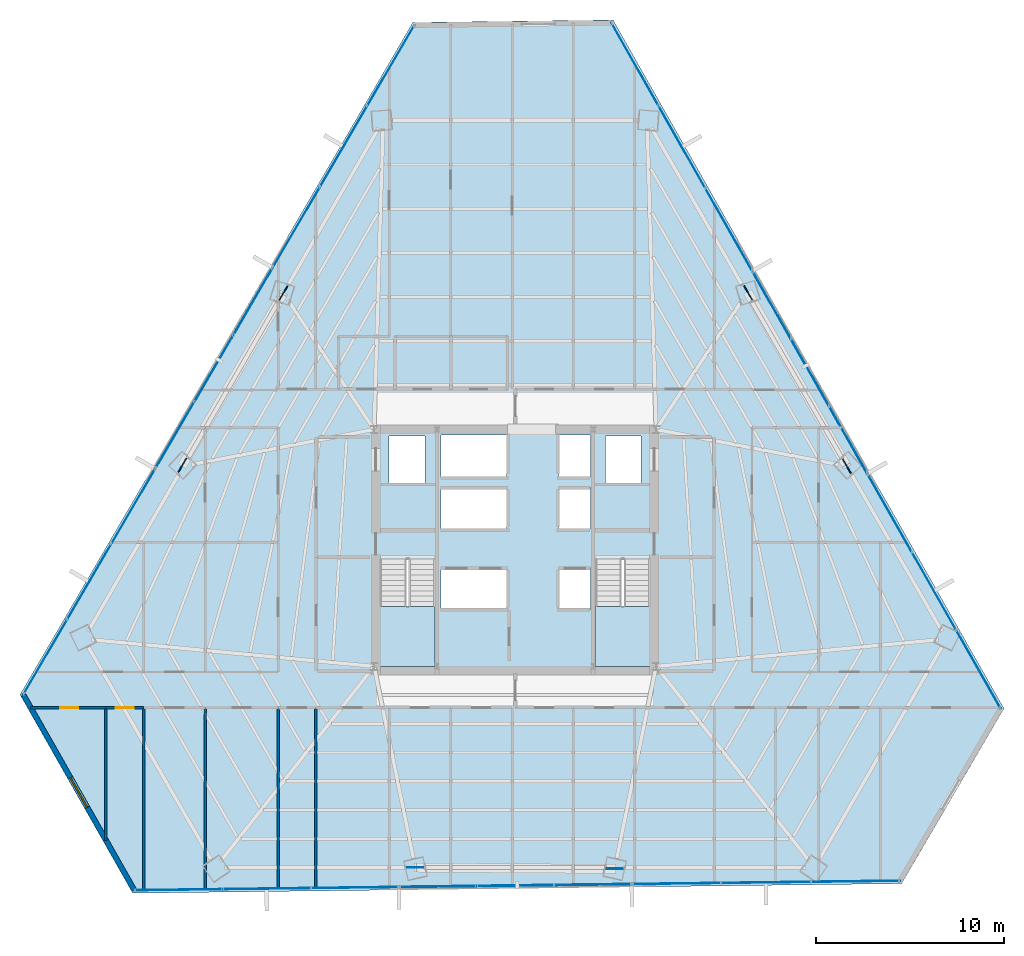
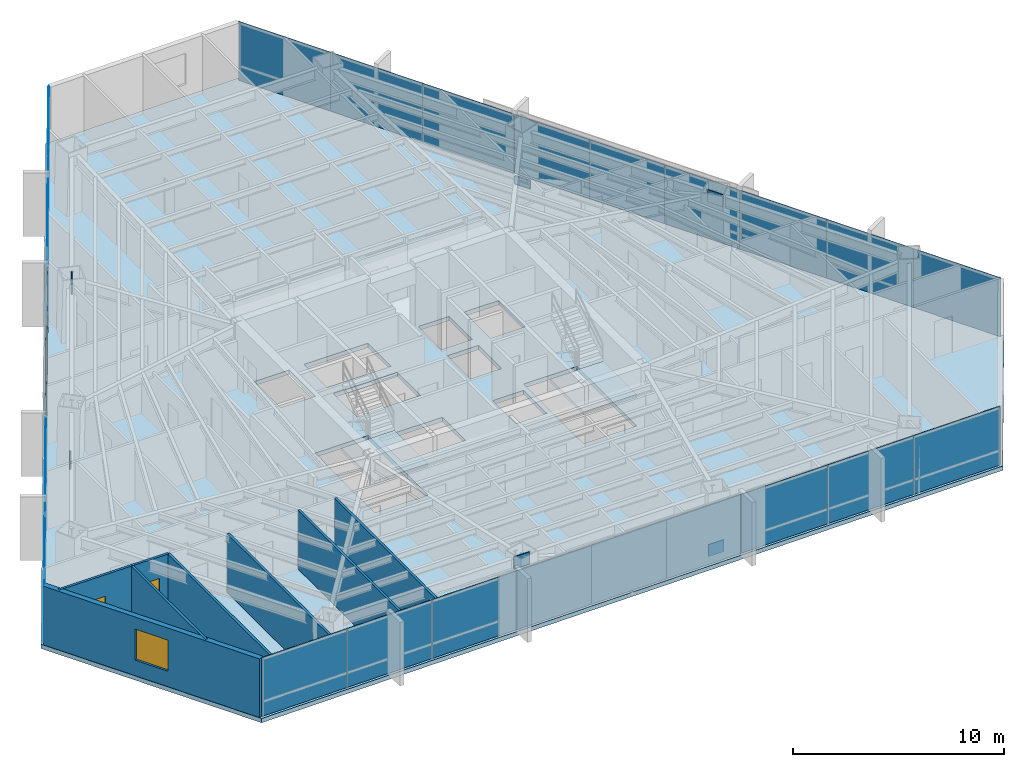
# One storey, part 30 of 37: 33 plates, 8 walls, 3 slabs, 2 doors, 1 window, 3 openings, 11 elements without a shape of their own.
"""IFC4 building model written with IfcOpenShell, lengths in metres."""

from ifc_helpers import new_model, si_unit, direction, frame, frame_2d, origin, origin_2d, place, context, subcontext, project, spatial, polyline, rectangle, outline, extrude, source, transform, mapped, material, layer, layer_set, type_object, type_shapes, element, fill, aggregate, save


model = new_model("IFC4")

# Units and contexts
model_context = context("Model", 3, precision=1e-05, world=origin(), true_north=direction((0.0, 1.0)))
body_context = subcontext(model_context, "Body", "Model", "MODEL_VIEW")
ifc_project = project(units=[si_unit("LENGTHUNIT", "METRE"), si_unit("AREAUNIT", "SQUARE_METRE"), si_unit("VOLUMEUNIT", "CUBIC_METRE"), si_unit("PLANEANGLEUNIT", "RADIAN"), si_unit("MASSUNIT", "GRAM", prefix="KILO")], contexts=[model_context])

# Site, building, storey
site_placement = place(None, origin())
site = spatial("IfcSite", under=ifc_project, at=site_placement, CompositionType="ELEMENT")
building_placement = place(site_placement, origin())
building = spatial("IfcBuilding", under=site, at=building_placement, Name="Caelisora Broadcast Tower", CompositionType="ELEMENT")
storey_placement = place(building_placement, frame((0.0, 0.0, 120.0)))
storey = spatial("IfcBuildingStorey", under=building, at=storey_placement, Name="L31", CompositionType="ELEMENT", Elevation=120.0)

# Slab
ifc_material_1 = material(Name="Concrete 40 MPa (AS 3600 N40)", Category="concrete")
ifc_layer_1 = layer(ifc_material_1, 0.25, Name="Concrete 40 MPa (AS 3600 N40)")
ifc_layer_set_1 = layer_set([ifc_layer_1], Name="Concrete 40 MPa (AS 3600 N40)")
slab_type_1 = type_object("IfcSlabType", Name="SL04", PredefinedType="FLOOR", material=ifc_layer_set_1)
slab_1_placement = place(storey_placement, frame((0.0, 0.0, -0.25)))
element("IfcSlab", 1, at=slab_1_placement, inside=storey, type_object=slab_type_1, Name="L31 suspended floor SL04", PredefinedType="FLOOR", context=body_context, shape_type="SweptSolid", body=[
    extrude(outline(polyline([(43.212890625, 51.777099609375), (32.55810546875, 51.64501953125), (11.6689453125, 15.89404296875), (17.662109375, 5.3369140625), (58.56005859375, 5.845947265625), (64.001953125, 15.159912109375), (43.212890625, 51.777099609375)]), holes=[polyline([(30.820068359375, 17.39990234375), (33.739990234375, 17.39990234375), (33.739990234375, 23.080078125), (30.820068359375, 23.080078125), (30.820068359375, 17.39990234375)]), polyline([(42.260009765625, 17.39990234375), (45.179931640625, 17.39990234375), (45.179931640625, 23.080078125), (42.260009765625, 23.080078125), (42.260009765625, 17.39990234375)]), polyline([(42.800048828125, 27.14990234375), (44.699951171875, 27.14990234375), (44.699951171875, 29.64990234375), (42.800048828125, 29.64990234375), (42.800048828125, 27.14990234375)]), polyline([(40.300048828125, 20.429931640625), (42.0, 20.429931640625), (42.0, 22.6298828125), (40.300048828125, 22.6298828125), (40.300048828125, 20.429931640625)]), polyline([(40.300048828125, 24.719970703125), (42.0, 24.719970703125), (42.0, 26.919921875), (40.300048828125, 26.919921875), (40.300048828125, 24.719970703125)]), polyline([(40.300048828125, 27.5), (42.0, 27.5), (42.0, 29.699951171875), (40.300048828125, 29.699951171875), (40.300048828125, 27.5)]), polyline([(34.050048828125, 20.429931640625), (37.550048828125, 20.429931640625), (37.550048828125, 22.6298828125), (34.050048828125, 22.6298828125), (34.050048828125, 20.429931640625)]), polyline([(34.050048828125, 24.719970703125), (37.550048828125, 24.719970703125), (37.550048828125, 26.919921875), (34.050048828125, 26.919921875), (34.050048828125, 24.719970703125)]), polyline([(34.050048828125, 27.5), (37.550048828125, 27.5), (37.550048828125, 29.699951171875), (34.050048828125, 29.699951171875), (34.050048828125, 27.5)]), polyline([(31.300048828125, 27.14990234375), (33.199951171875, 27.14990234375), (33.199951171875, 29.64990234375), (31.300048828125, 29.64990234375), (31.300048828125, 27.14990234375)])]), origin(), (0.0, 0.0, 1.0), 0.25),
])

# Stair, slab
stair_type_1 = type_object("IfcStairType", Name="ST-1", PredefinedType="HALF_TURN_STAIR", material=ifc_material_1)
stair_1_placement = place(storey_placement, origin())
stair_1 = element("IfcStair", 2, at=stair_1_placement, inside=storey, type_object=stair_type_1, Name="L31 West Fire-Isolated Tower Stair", PredefinedType="HALF_TURN_STAIR")
ifc_layer_2 = layer(ifc_material_1, 0.199951171875, Name="Concrete 40 MPa (AS 3600 N40)")
ifc_layer_set_2 = layer_set([ifc_layer_2], Name="Concrete 40 MPa (AS 3600 N40)")
slab_type_2 = type_object("IfcSlabType", Name="STL-1", PredefinedType="LANDING", material=ifc_layer_set_2)
slab_2_placement = place(storey_placement, frame((0.0, 0.0, 1.625)))
slab_2 = element("IfcSlab", 3, at=slab_2_placement, type_object=slab_type_2, Name="ST-1 landing 1", PredefinedType="LANDING", context=body_context, shape_type="SweptSolid", body=[
    extrude(outline(polyline([(30.820068359375, 20.580078125), (30.820068359375, 17.39990234375), (33.739990234375, 17.39990234375), (33.739990234375, 20.580078125), (30.820068359375, 20.580078125)])), origin(), (0.0, 0.0, 1.0), 0.199951171875),
])
aggregate(stair_1, [slab_2])

stair_type_2 = type_object("IfcStairType", Name="ST-2", PredefinedType="HALF_TURN_STAIR", material=ifc_material_1)
stair_2_placement = place(storey_placement, origin())
stair_2 = element("IfcStair", 4, at=stair_2_placement, inside=storey, type_object=stair_type_2, Name="L31 East Fire-Isolated Tower Stair", PredefinedType="HALF_TURN_STAIR")
slab_3_placement = place(storey_placement, frame((0.0, 0.0, 1.625)))
slab_3 = element("IfcSlab", 5, at=slab_3_placement, type_object=slab_type_2, Name="ST-2 landing 1", PredefinedType="LANDING", context=body_context, shape_type="SweptSolid", body=[
    extrude(outline(polyline([(42.260009765625, 20.580078125), (42.260009765625, 17.39990234375), (45.179931640625, 17.39990234375), (45.179931640625, 20.580078125), (42.260009765625, 20.580078125)])), origin(), (0.0, 0.0, 1.0), 0.199951171875),
])
aggregate(stair_2, [slab_3])

# Plates
ifc_material_2 = material(Name="Steel Grade 350 L15 (AS/NZS 3678)", Category="steel")
ifc_layer_3 = layer(ifc_material_2, 0.050048828125, Name="Steel Grade 350 L15 (AS/NZS 3678)")
ifc_layer_set_3 = layer_set([ifc_layer_3], Name="Steel Grade 350 L15 (AS/NZS 3678)")
plate_type_1 = type_object("IfcPlateType", Name="GP03", PredefinedType="USERDEFINED", material=ifc_layer_set_3)
shared_shape_1 = source(origin(), body_context, "Body", "SweptSolid", [
    extrude(rectangle(XDim=0.85009765625, YDim=0.050048828125, at=origin_2d()), origin(), (0.0, 0.0, 1.0), 0.699951171875),
])
type_shapes(plate_type_1, [shared_shape_1])
for number, where, z_axis, x_axis, name in (
    (6, (25.67431640625, 37.24609375, 2.72998046875), (0.0, 0.0, 1.0), (-0.5, -0.866025403784, 0.0), "L31 gusset plate GP03 (ND-L31-C02T)"),
    (7, (20.311279296875, 28.101806640625, -0.22998046875), (0.0, 0.0, 1.0), (-0.5, -0.866025403784, 0.0), "L31 gusset plate GP03 (ND-L31-C03B)"),
    (8, (32.69140625, 6.702392578125, 2.72998046875), (0.0, 0.0, 1.0), (1.0, 0.0, 0.0), "L31 gusset plate GP03 (ND-L31-C06T)"),
    (9, (43.292236328125, 6.630126953125, -0.22998046875), (0.0, 0.0, 1.0), (1.0, 0.0, 0.0), "L31 gusset plate GP03 (ND-L31-C07B)"),
    (10, (55.634521484375, 28.05126953125, 2.72998046875), (0.0, 0.0, 1.0), (-0.5, 0.866025403784, 0.0), "L31 gusset plate GP03 (ND-L31-C10T)"),
    (11, (50.396484375, 37.26806640625, -0.22998046875), (0.0, 0.0, 1.0), (-0.5, 0.866025403784, 0.0), "L31 gusset plate GP03 (ND-L31-C11B)"),
):
    element("IfcPlate", number, at=place(storey_placement, frame(where, z_axis=z_axis, x_axis=x_axis)), inside=storey, type_object=plate_type_1, Name=name, ObjectType="GUSSET PLATE", PredefinedType="USERDEFINED", context=body_context, shape_type="MappedRepresentation", body=[
        mapped(shared_shape_1, transform((0.0, 0.0, 0.0), scale=1.0)),
    ])

# Curtain wall, plates
ifc_material_3 = material(Name="Unitised Aluminium and Low-E Glass Curtain Wall", Category="glass")
curtain_wall_type_1 = type_object("IfcCurtainWallType", Name="CW-Z2", PredefinedType="NOTDEFINED", material=ifc_material_3)
curtain_wall_1_placement = place(storey_placement, origin())
curtain_wall_1 = element("IfcCurtainWall", 12, at=curtain_wall_1_placement, inside=storey, type_object=curtain_wall_type_1, Name="L31 curtain wall CW-Z2", PredefinedType="NOTDEFINED")
ifc_material_4 = material(Name="Double Glazed Low-E Argon IGU", Category="glass")
ifc_layer_4 = layer(ifc_material_4, 0.033935546875, Name="Double Glazed Low-E Argon IGU")
ifc_layer_set_4 = layer_set([ifc_layer_4], Name="Double Glazed Low-E Argon IGU")
plate_type_2 = type_object("IfcPlateType", Name="CWP-03", PredefinedType="CURTAIN_PANEL", material=ifc_layer_set_4)
shared_shape_2 = source(origin(), body_context, "Body", "SweptSolid", [
    extrude(rectangle(XDim=5.056884765625, YDim=0.033935546875, at=origin_2d()), origin(), (0.0, 0.0, 1.0), 3.39990234375),
])
plate_1_placement = place(storey_placement, frame((44.374267578125, 49.42724609375, 0.0), z_axis=(0.0, 0.0, 1.0), x_axis=(0.493790103568, -0.86958112538, 0.0)))
plate_1 = element("IfcPlate", 13, at=plate_1_placement, type_object=plate_type_2, Name="L31-CW-B01 glazed panel #1", PredefinedType="CURTAIN_PANEL", context=body_context, shape_type="MappedRepresentation", body=[
    mapped(shared_shape_2, transform((0.0, 0.0, 0.0), scale=1.0)),
])
plate_2_placement = place(storey_placement, frame((46.87109375, 45.02978515625, 0.0), z_axis=(0.0, 0.0, 1.0), x_axis=(0.493790103568, -0.86958112538, 0.0)))
plate_2 = element("IfcPlate", 14, at=plate_2_placement, type_object=plate_type_2, Name="L31-CW-B01 glazed panel #2", PredefinedType="CURTAIN_PANEL", context=body_context, shape_type="MappedRepresentation", body=[
    mapped(shared_shape_2, transform((0.0, 0.0, 0.0), scale=1.0)),
])
plate_3_placement = place(storey_placement, frame((49.36767578125, 40.632080078125, 0.0), z_axis=(0.0, 0.0, 1.0), x_axis=(0.493790103568, -0.86958112538, 0.0)))
plate_3 = element("IfcPlate", 15, at=plate_3_placement, type_object=plate_type_2, Name="L31-CW-B01 glazed panel #3", PredefinedType="CURTAIN_PANEL", context=body_context, shape_type="MappedRepresentation", body=[
    mapped(shared_shape_2, transform((0.0, 0.0, 0.0), scale=1.0)),
])
aggregate(curtain_wall_1, [plate_1, plate_2, plate_3])

ifc_material_5 = material(Name="Unitised Aluminium Insulated Shadow-Box Spandrel Curtain Wall", Category="aluminium")
curtain_wall_type_2 = type_object("IfcCurtainWallType", Name="CW-SP1", PredefinedType="NOTDEFINED", material=ifc_material_5)
curtain_wall_2_placement = place(storey_placement, origin())
curtain_wall_2 = element("IfcCurtainWall", 16, at=curtain_wall_2_placement, inside=storey, type_object=curtain_wall_type_2, Name="L31 curtain wall CW-SP1", PredefinedType="NOTDEFINED")
ifc_material_6 = material(Name="Insulated Terracotta Shadow-Box Spandrel Panel", Category="aluminium")
ifc_layer_5 = layer(ifc_material_6, 0.0439453125, Name="Insulated Terracotta Shadow-Box Spandrel Panel")
ifc_layer_set_5 = layer_set([ifc_layer_5], Name="Insulated Terracotta Shadow-Box Spandrel Panel")
plate_type_3 = type_object("IfcPlateType", Name="CWP-10", PredefinedType="CURTAIN_PANEL", material=ifc_layer_set_5)
shared_shape_3 = source(origin(), body_context, "Body", "SweptSolid", [
    extrude(rectangle(XDim=4.124755859375, YDim=0.0439453125, at=origin_2d()), origin(), (0.0, 0.0, 1.0), 3.39990234375),
])
plate_4_placement = place(storey_placement, frame((51.639404296875, 36.631103515625, 0.0), z_axis=(0.0, 0.0, 1.0), x_axis=(0.493790103568, -0.86958112538, 0.0)))
plate_4 = element("IfcPlate", 17, at=plate_4_placement, type_object=plate_type_3, Name="L31-CW-B02 spandrel panel #1", PredefinedType="CURTAIN_PANEL", context=body_context, shape_type="MappedRepresentation", body=[
    mapped(shared_shape_3, transform((0.0, 0.0, 0.0), scale=1.0)),
])
plate_5_placement = place(storey_placement, frame((53.67578125, 33.044189453125, 0.0), z_axis=(0.0, 0.0, 1.0), x_axis=(0.493790103568, -0.86958112538, 0.0)))
plate_5 = element("IfcPlate", 18, at=plate_5_placement, type_object=plate_type_3, Name="L31-CW-B02 spandrel panel #2", PredefinedType="CURTAIN_PANEL", context=body_context, shape_type="MappedRepresentation", body=[
    mapped(shared_shape_3, transform((0.0, 0.0, 0.0), scale=1.0)),
])
plate_6_placement = place(storey_placement, frame((55.712158203125, 29.45751953125, 0.0), z_axis=(0.0, 0.0, 1.0), x_axis=(0.493790103568, -0.86958112538, 0.0)))
plate_6 = element("IfcPlate", 19, at=plate_6_placement, type_object=plate_type_3, Name="L31-CW-B02 spandrel panel #3", PredefinedType="CURTAIN_PANEL", context=body_context, shape_type="MappedRepresentation", body=[
    mapped(shared_shape_3, transform((0.0, 0.0, 0.0), scale=1.0)),
])
aggregate(curtain_wall_2, [plate_4, plate_5, plate_6])

curtain_wall_3_placement = place(storey_placement, origin())
curtain_wall_3 = element("IfcCurtainWall", 20, at=curtain_wall_3_placement, inside=storey, type_object=curtain_wall_type_2, Name="L31 curtain wall CW-SP1", PredefinedType="NOTDEFINED")
plate_7_placement = place(storey_placement, frame((19.904541015625, 29.69140625, 0.0), z_axis=(0.0, 0.0, 1.0), x_axis=(0.504527623815, 0.863395550607, 0.0)))
plate_7 = element("IfcPlate", 21, at=plate_7_placement, type_object=plate_type_3, Name="L31-CW-B10 spandrel panel #1", PredefinedType="CURTAIN_PANEL", context=body_context, shape_type="MappedRepresentation", body=[
    mapped(shared_shape_3, transform((0.0, 0.0, 0.0), scale=1.0)),
])
plate_8_placement = place(storey_placement, frame((21.9853515625, 33.252685546875, 0.0), z_axis=(0.0, 0.0, 1.0), x_axis=(0.504527623815, 0.863395550607, 0.0)))
plate_8 = element("IfcPlate", 22, at=plate_8_placement, type_object=plate_type_3, Name="L31-CW-B10 spandrel panel #2", PredefinedType="CURTAIN_PANEL", context=body_context, shape_type="MappedRepresentation", body=[
    mapped(shared_shape_3, transform((0.0, 0.0, 0.0), scale=1.0)),
])
plate_9_placement = place(storey_placement, frame((24.06640625, 36.814208984375, 0.0), z_axis=(0.0, 0.0, 1.0), x_axis=(0.504527623815, 0.863395550607, 0.0)))
plate_9 = element("IfcPlate", 23, at=plate_9_placement, type_object=plate_type_3, Name="L31-CW-B10 spandrel panel #3", PredefinedType="CURTAIN_PANEL", context=body_context, shape_type="MappedRepresentation", body=[
    mapped(shared_shape_3, transform((0.0, 0.0, 0.0), scale=1.0)),
])
aggregate(curtain_wall_3, [plate_7, plate_8, plate_9])

curtain_wall_4_placement = place(storey_placement, origin())
curtain_wall_4 = element("IfcCurtainWall", 24, at=curtain_wall_4_placement, inside=storey, type_object=curtain_wall_type_1, Name="L31 curtain wall CW-Z2", PredefinedType="NOTDEFINED")
shared_shape_4 = source(origin(), body_context, "Body", "SweptSolid", [
    extrude(rectangle(XDim=4.789306640625, YDim=0.033935546875, at=origin_2d()), origin(), (0.0, 0.0, 1.0), 3.39990234375),
])
plate_10_placement = place(storey_placement, frame((57.917724609375, 25.572998046875, 0.0), z_axis=(0.0, 0.0, 1.0), x_axis=(0.493790103568, -0.86958112538, 0.0)))
plate_10 = element("IfcPlate", 25, at=plate_10_placement, type_object=plate_type_2, Name="L31-CW-B03 glazed panel #1", PredefinedType="CURTAIN_PANEL", context=body_context, shape_type="MappedRepresentation", body=[
    mapped(shared_shape_4, transform((0.0, 0.0, 0.0), scale=1.0)),
])
plate_11_placement = place(storey_placement, frame((60.2822265625, 21.408203125, 0.0), z_axis=(0.0, 0.0, 1.0), x_axis=(0.493790103568, -0.86958112538, 0.0)))
plate_11 = element("IfcPlate", 26, at=plate_11_placement, type_object=plate_type_2, Name="L31-CW-B03 glazed panel #2", PredefinedType="CURTAIN_PANEL", context=body_context, shape_type="MappedRepresentation", body=[
    mapped(shared_shape_4, transform((0.0, 0.0, 0.0), scale=1.0)),
])
plate_12_placement = place(storey_placement, frame((62.646728515625, 17.243408203125, 0.0), z_axis=(0.0, 0.0, 1.0), x_axis=(0.493790103568, -0.86958112538, 0.0)))
plate_12 = element("IfcPlate", 27, at=plate_12_placement, type_object=plate_type_2, Name="L31-CW-B03 glazed panel #3", PredefinedType="CURTAIN_PANEL", context=body_context, shape_type="MappedRepresentation", body=[
    mapped(shared_shape_4, transform((0.0, 0.0, 0.0), scale=1.0)),
])
aggregate(curtain_wall_4, [plate_10, plate_11, plate_12])

curtain_wall_5_placement = place(storey_placement, origin())
curtain_wall_5 = element("IfcCurtainWall", 28, at=curtain_wall_5_placement, inside=storey, type_object=curtain_wall_type_1, Name="L31 curtain wall CW-Z2", PredefinedType="NOTDEFINED")
shared_shape_5 = source(origin(), body_context, "Body", "SweptSolid", [
    extrude(rectangle(XDim=4.755615234375, YDim=0.033935546875, at=origin_2d()), origin(), (0.0, 0.0, 1.0), 3.39990234375),
])
plate_13_placement = place(storey_placement, frame((56.095458984375, 5.96533203125, 0.0), z_axis=(0.0, 0.0, 1.0), x_axis=(-0.999923222162, -0.012391520548, 0.0)))
plate_13 = element("IfcPlate", 29, at=plate_13_placement, type_object=plate_type_2, Name="L31-CW-B05 glazed panel #1", PredefinedType="CURTAIN_PANEL", context=body_context, shape_type="MappedRepresentation", body=[
    mapped(shared_shape_5, transform((0.0, 0.0, 0.0), scale=1.0)),
])
plate_14_placement = place(storey_placement, frame((51.340087890625, 5.90625, 0.0), z_axis=(0.0, 0.0, 1.0), x_axis=(-0.999923222162, -0.012391520548, 0.0)))
plate_14 = element("IfcPlate", 30, at=plate_14_placement, type_object=plate_type_2, Name="L31-CW-B05 glazed panel #2", PredefinedType="CURTAIN_PANEL", context=body_context, shape_type="MappedRepresentation", body=[
    mapped(shared_shape_5, transform((0.0, 0.0, 0.0), scale=1.0)),
])
plate_15_placement = place(storey_placement, frame((46.585205078125, 5.846923828125, 0.0), z_axis=(0.0, 0.0, 1.0), x_axis=(-0.999923222162, -0.012391520548, 0.0)))
plate_15 = element("IfcPlate", 31, at=plate_15_placement, type_object=plate_type_2, Name="L31-CW-B05 glazed panel #3", PredefinedType="CURTAIN_PANEL", context=body_context, shape_type="MappedRepresentation", body=[
    mapped(shared_shape_5, transform((0.0, 0.0, 0.0), scale=1.0)),
])
aggregate(curtain_wall_5, [plate_13, plate_14, plate_15])

curtain_wall_6_placement = place(storey_placement, origin())
curtain_wall_6 = element("IfcCurtainWall", 32, at=curtain_wall_6_placement, inside=storey, type_object=curtain_wall_type_2, Name="L31 curtain wall CW-SP1", PredefinedType="NOTDEFINED")
shared_shape_6 = source(origin(), body_context, "Body", "SweptSolid", [
    extrude(rectangle(XDim=4.12451171875, YDim=0.0439453125, at=origin_2d()), origin(), (0.0, 0.0, 1.0), 3.39990234375),
])
type_shapes(plate_type_3, [shared_shape_3, shared_shape_6])
plate_16_placement = place(storey_placement, frame((42.135498046875, 5.79150390625, 0.0), z_axis=(0.0, 0.0, 1.0), x_axis=(-0.999923222162, -0.012391520548, 0.0)))
plate_16 = element("IfcPlate", 33, at=plate_16_placement, type_object=plate_type_3, Name="L31-CW-B06 spandrel panel #1", PredefinedType="CURTAIN_PANEL", context=body_context, shape_type="MappedRepresentation", body=[
    mapped(shared_shape_6, transform((0.0, 0.0, 0.0), scale=1.0)),
])
plate_17_placement = place(storey_placement, frame((38.010986328125, 5.740234375, 0.0), z_axis=(0.0, 0.0, 1.0), x_axis=(-0.999923222162, -0.012391520548, 0.0)))
plate_17 = element("IfcPlate", 34, at=plate_17_placement, type_object=plate_type_3, Name="L31-CW-B06 spandrel panel #2", PredefinedType="CURTAIN_PANEL", context=body_context, shape_type="MappedRepresentation", body=[
    mapped(shared_shape_6, transform((0.0, 0.0, 0.0), scale=1.0)),
])
plate_18_placement = place(storey_placement, frame((33.88671875, 5.68896484375, 0.0), z_axis=(0.0, 0.0, 1.0), x_axis=(-0.999923222162, -0.012391520548, 0.0)))
plate_18 = element("IfcPlate", 35, at=plate_18_placement, type_object=plate_type_3, Name="L31-CW-B06 spandrel panel #3", PredefinedType="CURTAIN_PANEL", context=body_context, shape_type="MappedRepresentation", body=[
    mapped(shared_shape_6, transform((0.0, 0.0, 0.0), scale=1.0)),
])
aggregate(curtain_wall_6, [plate_16, plate_17, plate_18])

curtain_wall_7_placement = place(storey_placement, origin())
curtain_wall_7 = element("IfcCurtainWall", 36, at=curtain_wall_7_placement, inside=storey, type_object=curtain_wall_type_1, Name="L31 curtain wall CW-Z2", PredefinedType="NOTDEFINED")
shared_shape_7 = source(origin(), body_context, "Body", "SweptSolid", [
    extrude(rectangle(XDim=4.68896484375, YDim=0.033935546875, at=origin_2d()), origin(), (0.0, 0.0, 1.0), 3.39990234375),
])
plate_19_placement = place(storey_placement, frame((29.470458984375, 5.6337890625, 0.0), z_axis=(0.0, 0.0, 1.0), x_axis=(-0.999923222162, -0.012391520548, 0.0)))
plate_19 = element("IfcPlate", 37, at=plate_19_placement, type_object=plate_type_2, Name="L31-CW-B07 glazed panel #1", PredefinedType="CURTAIN_PANEL", context=body_context, shape_type="MappedRepresentation", body=[
    mapped(shared_shape_7, transform((0.0, 0.0, 0.0), scale=1.0)),
])
plate_20_placement = place(storey_placement, frame((24.78173828125, 5.57568359375, 0.0), z_axis=(0.0, 0.0, 1.0), x_axis=(-0.999923222162, -0.012391520548, 0.0)))
plate_20 = element("IfcPlate", 38, at=plate_20_placement, type_object=plate_type_2, Name="L31-CW-B07 glazed panel #2", PredefinedType="CURTAIN_PANEL", context=body_context, shape_type="MappedRepresentation", body=[
    mapped(shared_shape_7, transform((0.0, 0.0, 0.0), scale=1.0)),
])
plate_21_placement = place(storey_placement, frame((20.09326171875, 5.51708984375, 0.0), z_axis=(0.0, 0.0, 1.0), x_axis=(-0.999923222162, -0.012391520548, 0.0)))
plate_21 = element("IfcPlate", 39, at=plate_21_placement, type_object=plate_type_2, Name="L31-CW-B07 glazed panel #3", PredefinedType="CURTAIN_PANEL", context=body_context, shape_type="MappedRepresentation", body=[
    mapped(shared_shape_7, transform((0.0, 0.0, 0.0), scale=1.0)),
])
aggregate(curtain_wall_7, [plate_19, plate_20, plate_21])

curtain_wall_8_placement = place(storey_placement, origin())
curtain_wall_8 = element("IfcCurtainWall", 40, at=curtain_wall_8_placement, inside=storey, type_object=curtain_wall_type_1, Name="L31 curtain wall CW-Z2", PredefinedType="NOTDEFINED")
shared_shape_8 = source(origin(), body_context, "Body", "SweptSolid", [
    extrude(rectangle(XDim=4.63623046875, YDim=0.033935546875, at=origin_2d()), origin(), (0.0, 0.0, 1.0), 3.39990234375),
])
plate_22_placement = place(storey_placement, frame((13.011474609375, 17.89453125, 0.0), z_axis=(0.0, 0.0, 1.0), x_axis=(0.504527623815, 0.863395550607, 0.0)))
plate_22 = element("IfcPlate", 41, at=plate_22_placement, type_object=plate_type_2, Name="L31-CW-B09 glazed panel #1", PredefinedType="CURTAIN_PANEL", context=body_context, shape_type="MappedRepresentation", body=[
    mapped(shared_shape_8, transform((0.0, 0.0, 0.0), scale=1.0)),
])
plate_23_placement = place(storey_placement, frame((15.3505859375, 21.8974609375, 0.0), z_axis=(0.0, 0.0, 1.0), x_axis=(0.504527623815, 0.863395550607, 0.0)))
plate_23 = element("IfcPlate", 42, at=plate_23_placement, type_object=plate_type_2, Name="L31-CW-B09 glazed panel #2", PredefinedType="CURTAIN_PANEL", context=body_context, shape_type="MappedRepresentation", body=[
    mapped(shared_shape_8, transform((0.0, 0.0, 0.0), scale=1.0)),
])
plate_24_placement = place(storey_placement, frame((17.689453125, 25.900634765625, 0.0), z_axis=(0.0, 0.0, 1.0), x_axis=(0.504527623815, 0.863395550607, 0.0)))
plate_24 = element("IfcPlate", 43, at=plate_24_placement, type_object=plate_type_2, Name="L31-CW-B09 glazed panel #3", PredefinedType="CURTAIN_PANEL", context=body_context, shape_type="MappedRepresentation", body=[
    mapped(shared_shape_8, transform((0.0, 0.0, 0.0), scale=1.0)),
])
aggregate(curtain_wall_8, [plate_22, plate_23, plate_24])

curtain_wall_9_placement = place(storey_placement, origin())
curtain_wall_9 = element("IfcCurtainWall", 44, at=curtain_wall_9_placement, inside=storey, type_object=curtain_wall_type_1, Name="L31 curtain wall CW-Z2", PredefinedType="NOTDEFINED")
shared_shape_9 = source(origin(), body_context, "Body", "SweptSolid", [
    extrude(rectangle(XDim=4.977294921875, YDim=0.033935546875, at=origin_2d()), origin(), (0.0, 0.0, 1.0), 3.39990234375),
])
type_shapes(plate_type_2, [shared_shape_2, shared_shape_4, shared_shape_5, shared_shape_7, shared_shape_8, shared_shape_9])
plate_25_placement = place(storey_placement, frame((26.367431640625, 40.752197265625, 0.0), z_axis=(0.0, 0.0, 1.0), x_axis=(0.504527623815, 0.863395550607, 0.0)))
plate_25 = element("IfcPlate", 45, at=plate_25_placement, type_object=plate_type_2, Name="L31-CW-B11 glazed panel #1", PredefinedType="CURTAIN_PANEL", context=body_context, shape_type="MappedRepresentation", body=[
    mapped(shared_shape_9, transform((0.0, 0.0, 0.0), scale=1.0)),
])
plate_26_placement = place(storey_placement, frame((28.87841796875, 45.0498046875, 0.0), z_axis=(0.0, 0.0, 1.0), x_axis=(0.504527623815, 0.863395550607, 0.0)))
plate_26 = element("IfcPlate", 46, at=plate_26_placement, type_object=plate_type_2, Name="L31-CW-B11 glazed panel #2", PredefinedType="CURTAIN_PANEL", context=body_context, shape_type="MappedRepresentation", body=[
    mapped(shared_shape_9, transform((0.0, 0.0, 0.0), scale=1.0)),
])
plate_27_placement = place(storey_placement, frame((31.389404296875, 49.34716796875, 0.0), z_axis=(0.0, 0.0, 1.0), x_axis=(0.504527623815, 0.863395550607, 0.0)))
plate_27 = element("IfcPlate", 47, at=plate_27_placement, type_object=plate_type_2, Name="L31-CW-B11 glazed panel #3", PredefinedType="CURTAIN_PANEL", context=body_context, shape_type="MappedRepresentation", body=[
    mapped(shared_shape_9, transform((0.0, 0.0, 0.0), scale=1.0)),
])
aggregate(curtain_wall_9, [plate_25, plate_26, plate_27])

# Wall, opening, window
ifc_material_7 = material(Name="Insulated Terracotta Spandrel Wall System", Category="masonry")
ifc_layer_6 = layer(ifc_material_7, 0.280029296875, Name="Insulated Terracotta Spandrel Wall System")
ifc_layer_set_6 = layer_set([ifc_layer_6], Name="Insulated Terracotta Spandrel Wall System")
wall_type_1 = type_object("IfcWallType", Name="EW1", PredefinedType="STANDARD", material=ifc_layer_set_6)
wall_1_placement = place(storey_placement, frame((17.734130859375, 5.51416015625, 0.0), z_axis=(0.0, 0.0, 1.0), x_axis=(-0.493703194343, 0.869630470887, 0.0)))
wall_1 = element("IfcWall", 48, at=wall_1_placement, inside=storey, type_object=wall_type_1, Name="L31 exterior envelope wall EW1", PredefinedType="STANDARD", context=body_context, shape_type="SweptSolid", body=[
    extrude(rectangle(XDim=11.90478515625, YDim=0.280029296875, at=frame_2d((5.952392578125, 0.0))), origin(), (0.0, 0.0, 1.0), 3.39990234375),
])
opening_1_placement = place(wall_1_placement, frame((5.050048828125, 0.0, 0.89990234375)))
opening_1 = element("IfcOpeningElement", 49, at=opening_1_placement, cuts=wall_1, Name="Opening W01", PredefinedType="OPENING", context=body_context, shape_type="SweptSolid", body=[
    extrude(rectangle(XDim=1.800048828125, YDim=1.800048828125, at=frame_2d((0.89990234375, 0.89990234375))), frame((0.0, 0.152099609375, 0.0), z_axis=(0.0, -1.0, 0.0), x_axis=(1.0, 0.0, 0.0)), (0.0, 0.0, 1.0), 0.303955078125),
])
ifc_material_8 = material(Name="Double Glazed Terracotta-Framed Vision Window", Category="glass")
window_type = type_object("IfcWindowType", Name="W01", PartitioningType="SINGLE_PANEL", PredefinedType="WINDOW", material=ifc_material_8)
window_placement = place(opening_1_placement, origin())
window = element("IfcWindow", 50, at=window_placement, inside=storey, type_object=window_type, Name="L31 window W01 (L31-WN-CH4)", OverallHeight=1.800048828125, OverallWidth=1.800048828125, PartitioningType="SINGLE_PANEL", PredefinedType="WINDOW", context=body_context, shape_type="SweptSolid", body=[
    extrude(rectangle(XDim=1.800048828125, YDim=1.800048828125, at=frame_2d((0.89990234375, 0.89990234375))), frame((0.0, 0.030029296875, 0.0), z_axis=(0.0, -1.0, 0.0), x_axis=(1.0, 0.0, 0.0)), (0.0, 0.0, 1.0), 0.06005859375),
])
fill(opening_1, window)

# Walls
ifc_material_9 = material(Name="Acoustic Steel-Stud Plasterboard Partition", Category="gypsum")
ifc_layer_7 = layer(ifc_material_9, 0.1298828125, Name="Acoustic Steel-Stud Plasterboard Partition")
ifc_layer_set_7 = layer_set([ifc_layer_7], Name="Acoustic Steel-Stud Plasterboard Partition")
wall_type_2 = type_object("IfcWallType", Name="PW3", PredefinedType="PARTITIONING", material=ifc_layer_set_7)
wall_2_placement = place(storey_placement, frame((18.25, 5.4892578125, 0.0), z_axis=(0.0, 0.0, 1.0), x_axis=(0.0, 1.0, 0.0)))
element("IfcWall", 51, at=wall_2_placement, inside=storey, type_object=wall_type_2, Name="L31 internal partition PW3", PredefinedType="PARTITIONING", context=body_context, shape_type="SweptSolid", body=[
    extrude(rectangle(XDim=9.705810546875, YDim=0.1298828125, at=frame_2d((4.85302734375, 0.0))), origin(), (0.0, 0.0, 1.0), 3.39990234375),
])
wall_3_placement = place(storey_placement, frame((21.52001953125, 5.530029296875, 0.0), z_axis=(0.0, 0.0, 1.0), x_axis=(0.0, 1.0, 0.0)))
element("IfcWall", 52, at=wall_3_placement, inside=storey, type_object=wall_type_2, Name="L31 internal partition PW3", PredefinedType="PARTITIONING", context=body_context, shape_type="SweptSolid", body=[
    extrude(rectangle(XDim=9.6650390625, YDim=0.1298828125, at=frame_2d((4.83251953125, 0.0))), origin(), (0.0, 0.0, 1.0), 3.39990234375),
])
wall_4_placement = place(storey_placement, frame((25.39990234375, 5.578369140625, 0.0), z_axis=(0.0, 0.0, 1.0), x_axis=(0.0, 1.0, 0.0)))
element("IfcWall", 53, at=wall_4_placement, inside=storey, type_object=wall_type_2, Name="L31 internal partition PW3", PredefinedType="PARTITIONING", context=body_context, shape_type="SweptSolid", body=[
    extrude(rectangle(XDim=9.61669921875, YDim=0.1298828125, at=frame_2d((4.808349609375, 0.0))), origin(), (0.0, 0.0, 1.0), 3.39990234375),
])
wall_5_placement = place(storey_placement, frame((27.39990234375, 5.603271484375, 0.0), z_axis=(0.0, 0.0, 1.0), x_axis=(0.0, 1.0, 0.0)))
element("IfcWall", 54, at=wall_5_placement, inside=storey, type_object=wall_type_2, Name="L31 internal partition PW3", PredefinedType="PARTITIONING", context=body_context, shape_type="SweptSolid", body=[
    extrude(rectangle(XDim=9.591796875, YDim=0.1298828125, at=frame_2d((4.7958984375, 0.0))), origin(), (0.0, 0.0, 1.0), 3.39990234375),
])
wall_6_placement = place(storey_placement, frame((16.239990234375, 8.135498046875, 0.0), z_axis=(0.0, 0.0, 1.0), x_axis=(0.0, 1.0, 0.0)))
element("IfcWall", 55, at=wall_6_placement, inside=storey, type_object=wall_type_2, Name="L31 internal partition PW3", PredefinedType="PARTITIONING", context=body_context, shape_type="SweptSolid", body=[
    extrude(rectangle(XDim=7.0595703125, YDim=0.1298828125, at=frame_2d((3.52978515625, 0.0))), origin(), (0.0, 0.0, 1.0), 3.39990234375),
])

# Wall, opening, door
wall_7_placement = place(storey_placement, frame((12.229736328125, 15.199951171875, 0.0), z_axis=(0.0, 0.0, 1.0), x_axis=(1.0, 0.0, 0.0)))
wall_7 = element("IfcWall", 56, at=wall_7_placement, inside=storey, type_object=wall_type_2, Name="L31 internal partition PW3", PredefinedType="PARTITIONING", context=body_context, shape_type="SweptSolid", body=[
    extrude(rectangle(XDim=4.00537109375, YDim=0.1298828125, at=frame_2d((2.002685546875, 0.0))), origin(), (0.0, 0.0, 1.0), 3.39990234375),
])
opening_2_placement = place(wall_7_placement, frame((1.577880859375, 0.0, 0.0)))
opening_2 = element("IfcOpeningElement", 57, at=opening_2_placement, cuts=wall_7, Name="Opening D01", PredefinedType="OPENING", context=body_context, shape_type="SweptSolid", body=[
    extrude(rectangle(XDim=0.9599609375, YDim=2.14990234375, at=frame_2d((0.47998046875, 1.074951171875))), frame((0.0, 0.076904296875, 0.0), z_axis=(0.0, -1.0, 0.0), x_axis=(1.0, 0.0, 0.0)), (0.0, 0.0, 1.0), 0.15380859375),
])
ifc_material_10 = material(Name="Solid-Core Timber Acoustic Office Door", Category="wood")
door_type = type_object("IfcDoorType", Name="D01", OperationType="NOTDEFINED", PredefinedType="DOOR", material=ifc_material_10)
door_1_placement = place(opening_2_placement, origin())
door_1 = element("IfcDoor", 58, at=door_1_placement, inside=storey, type_object=door_type, Name="L31 door D01 (L31-DR-P63D1)", OperationType="SINGLE_SWING_RIGHT", OverallHeight=2.14990234375, OverallWidth=0.9599609375, PredefinedType="DOOR", context=body_context, shape_type="SweptSolid", body=[
    extrude(rectangle(XDim=0.9599609375, YDim=2.14990234375, at=frame_2d((0.47998046875, 1.074951171875))), frame((0.0, 0.02490234375, 0.0), z_axis=(0.0, -1.0, 0.0), x_axis=(1.0, 0.0, 0.0)), (0.0, 0.0, 1.0), 0.050048828125),
])
fill(opening_2, door_1)

wall_8_placement = place(storey_placement, frame((16.2451171875, 15.199951171875, 0.0), z_axis=(0.0, 0.0, 1.0), x_axis=(1.0, 0.0, 0.0)))
wall_8 = element("IfcWall", 59, at=wall_8_placement, inside=storey, type_object=wall_type_2, Name="L31 internal partition PW3", PredefinedType="PARTITIONING", context=body_context, shape_type="SweptSolid", body=[
    extrude(rectangle(XDim=2.0, YDim=0.1298828125, at=frame_2d((1.0, 0.0))), origin(), (0.0, 0.0, 1.0), 3.39990234375),
])
opening_3_placement = place(wall_8_placement, frame((0.52001953125, 0.0, 0.0)))
opening_3 = element("IfcOpeningElement", 60, at=opening_3_placement, cuts=wall_8, Name="Opening D01", PredefinedType="OPENING", context=body_context, shape_type="SweptSolid", body=[
    extrude(rectangle(XDim=0.9599609375, YDim=2.14990234375, at=frame_2d((0.47998046875, 1.074951171875))), frame((0.0, 0.076904296875, 0.0), z_axis=(0.0, -1.0, 0.0), x_axis=(1.0, 0.0, 0.0)), (0.0, 0.0, 1.0), 0.15380859375),
])
door_2_placement = place(opening_3_placement, origin())
door_2 = element("IfcDoor", 61, at=door_2_placement, inside=storey, type_object=door_type, Name="L31 door D01 (L31-DR-P88D1)", OperationType="SINGLE_SWING_LEFT", OverallHeight=2.14990234375, OverallWidth=0.9599609375, PredefinedType="DOOR", context=body_context, shape_type="SweptSolid", body=[
    extrude(rectangle(XDim=0.9599609375, YDim=2.14990234375, at=frame_2d((0.47998046875, 1.074951171875))), frame((0.0, 0.02490234375, 0.0), z_axis=(0.0, -1.0, 0.0), x_axis=(1.0, 0.0, 0.0)), (0.0, 0.0, 1.0), 0.050048828125),
])
fill(opening_3, door_2)

save(model, "model.ifc")
